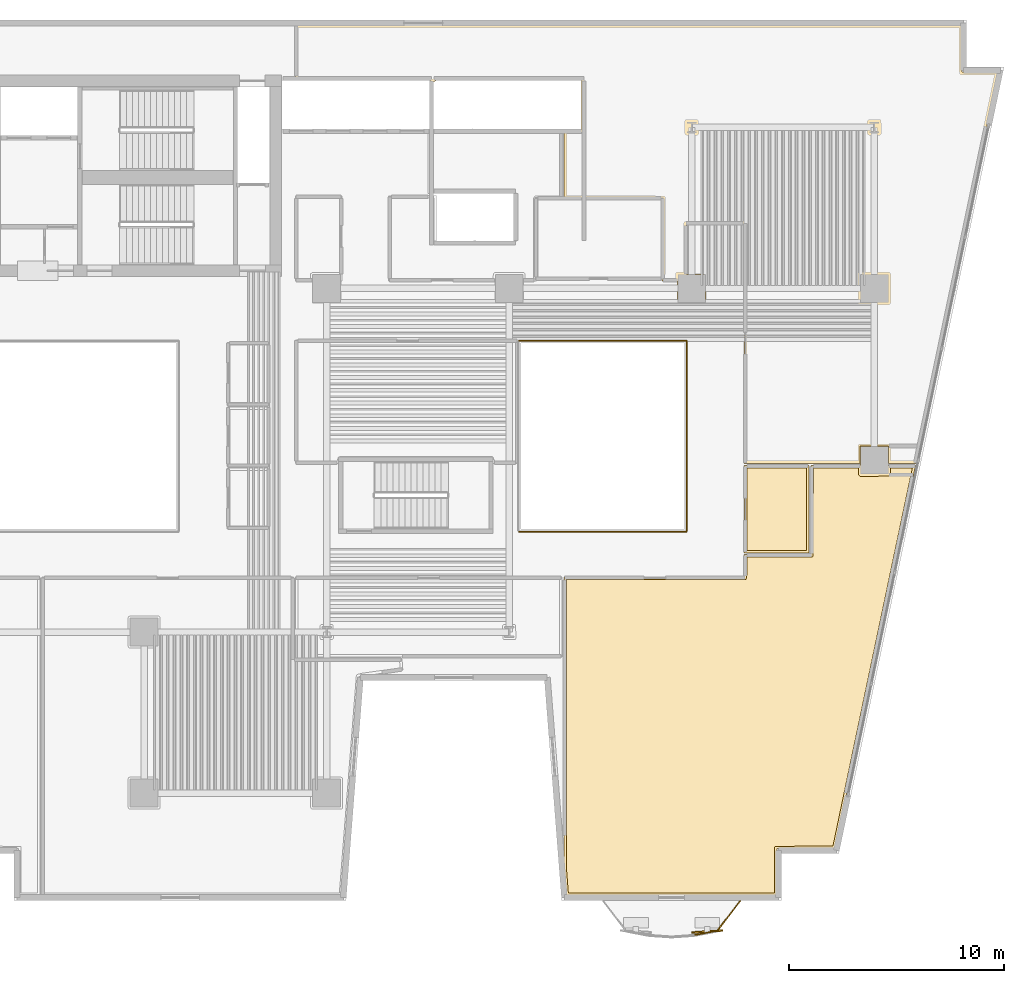
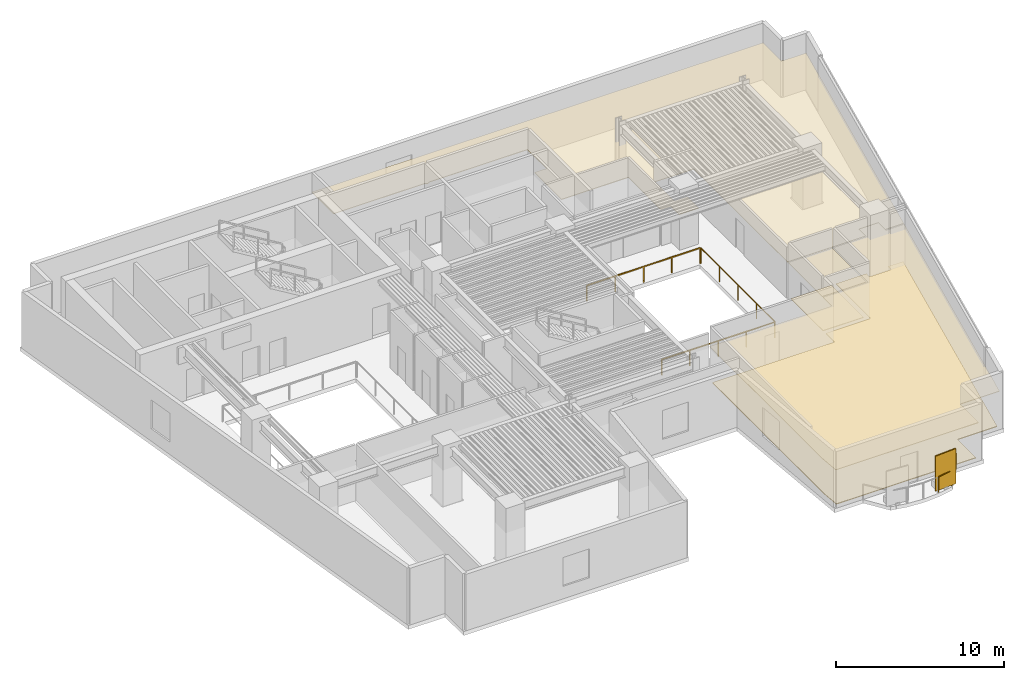
# One storey, part 10 of 12: 5 coverings, 5 railings, 1 shading device.
"""IFC4 building model written with IfcOpenShell, lengths in metres."""

from ifc_helpers import new_model, si_unit, direction, frame, origin, origin_2d, place, context, subcontext, project, spatial, polyline, rectangle, outline, extrude, material, layer, layer_set, type_object, element, save


model = new_model("IFC4")

# Units and contexts
model_context = context("Model", 3, precision=1e-05, world=origin(), true_north=direction((0.0, 1.0)))
body_context = subcontext(model_context, "Body", "Model", "MODEL_VIEW")
ifc_project = project(units=[si_unit("LENGTHUNIT", "METRE"), si_unit("AREAUNIT", "SQUARE_METRE"), si_unit("VOLUMEUNIT", "CUBIC_METRE"), si_unit("PLANEANGLEUNIT", "RADIAN"), si_unit("MASSUNIT", "GRAM", prefix="KILO")], contexts=[model_context])

# Site, building, storey
site_placement = place(None, origin())
site = spatial("IfcSite", under=ifc_project, at=site_placement, CompositionType="ELEMENT")
building_placement = place(site_placement, origin())
building = spatial("IfcBuilding", under=site, at=building_placement, Name="Caeloran Harvest Quay", CompositionType="ELEMENT")
storey_placement = place(building_placement, frame((0.0, 0.0, 93.0)))
storey = spatial("IfcBuildingStorey", under=building, at=storey_placement, Name="L21", CompositionType="ELEMENT", Elevation=93.0)

# Coverings
ifc_material_1 = material(Name="Perforated Mineral-Fibre Acoustic Ceiling Tile", Category="ceiling")
ifc_layer_1 = layer(ifc_material_1, 0.0400390625, Name="Perforated Mineral-Fibre Acoustic Ceiling Tile")
ifc_layer_set_1 = layer_set([ifc_layer_1], Name="Perforated Mineral-Fibre Acoustic Ceiling Tile")
covering_type_1 = type_object("IfcCoveringType", Name="COV-CEILING-ACOUSTIC", PredefinedType="CEILING", material=ifc_layer_set_1)
covering_1_placement = place(storey_placement, frame((0.0, 0.0, 2.60009765625)))
element("IfcCovering", 1, at=covering_1_placement, inside=storey, type_object=covering_type_1, Name="Biophilic Architecture Atelier Acoustic Ceiling", PredefinedType="CEILING", context=body_context, shape_type="SweptSolid", body=[
    extrude(outline(polyline([(44.93994140625, 17.56005859375), (44.93994140625, 18.610107421875), (48.0400390625, 18.610107421875), (48.0400390625, 22.760009765625), (50.330078125, 22.760009765625), (50.330078125, 23.669921875), (51.669921875, 23.669921875), (51.669921875, 22.760009765625), (52.918212890625, 22.760009765625), (49.170654296875, 4.919921875), (46.467041015625, 4.919921875), (46.467041015625, 2.719970703125), (36.64404296875, 2.719970703125), (36.5400390625, 4.052490234375), (36.5400390625, 17.56005859375), (44.93994140625, 17.56005859375)])), origin(), (0.0, 0.0, 1.0), 0.039794921875),
])
covering_2_placement = place(storey_placement, frame((0.0, 0.0, 2.60009765625)))
element("IfcCovering", 2, at=covering_2_placement, inside=storey, type_object=covering_type_1, Name="Principal Partner Office Acoustic Ceiling", PredefinedType="CEILING", context=body_context, shape_type="SweptSolid", body=[
    extrude(outline(polyline([(44.93994140625, 18.68994140625), (44.93994140625, 22.760009765625), (47.9599609375, 22.760009765625), (47.9599609375, 18.68994140625), (44.93994140625, 18.68994140625)])), origin(), (0.0, 0.0, 1.0), 0.039794921875),
])
covering_3_placement = place(storey_placement, frame((0.0, 0.0, 2.60009765625)))
element("IfcCovering", 3, at=covering_3_placement, inside=storey, type_object=covering_type_1, Name="Regional Food Policy Boardroom 9 Acoustic Ceiling", PredefinedType="CEILING", context=body_context, shape_type="SweptSolid", body=[
    extrude(outline(polyline([(50.330078125, 22.840087890625), (44.93994140625, 22.840087890625), (44.93994140625, 33.989990234375), (42.260009765625, 33.989990234375), (42.260009765625, 31.669921875), (43.169921875, 31.669921875), (43.169921875, 30.330078125), (41.830078125, 30.330078125), (41.830078125, 31.340087890625), (41.119873046875, 31.340087890625), (41.139892578125, 35.18994140625), (36.5400390625, 35.18994140625), (36.5400390625, 38.409912109375), (37.369873046875, 38.409912109375), (37.359130859375, 40.68310546875), (30.61083984375, 40.68994140625), (30.43994140625, 40.5888671875), (30.26904296875, 40.68994140625), (24.0400390625, 40.68994140625), (24.0400390625, 43.280029296875), (55.080078125, 43.280029296875), (55.080078125, 41.080078125), (56.766845703125, 41.080078125), (52.93505859375, 22.840087890625), (51.669921875, 22.840087890625), (51.669921875, 22.330078125), (50.330078125, 22.330078125), (50.330078125, 22.840087890625)])), origin(), (0.0, 0.0, 1.0), 0.039794921875),
])
ifc_material_2 = material(Name="Calcium-Sulphate Raised Access Floor and Terrazzo Finish", Category="flooring")
ifc_layer_2 = layer(ifc_material_2, 0.050048828125, Name="Calcium-Sulphate Raised Access Floor and Terrazzo Finish")
ifc_layer_set_2 = layer_set([ifc_layer_2], Name="Calcium-Sulphate Raised Access Floor and Terrazzo Finish")
covering_type_2 = type_object("IfcCoveringType", Name="COV-FLOOR-RAISED", PredefinedType="FLOORING", material=ifc_layer_set_2)
covering_4_placement = place(storey_placement, origin())
element("IfcCovering", 4, at=covering_4_placement, inside=storey, type_object=covering_type_2, Name="Biophilic Architecture Atelier Raised Finish Flooring", PredefinedType="FLOORING", context=body_context, shape_type="SweptSolid", body=[
    extrude(outline(polyline([(36.659912109375, 17.43994140625), (45.003173828125, 17.443359375), (45.0595703125, 17.51220703125), (45.06005859375, 18.489990234375), (48.080078125, 18.489990234375), (48.146484375, 18.525634765625), (48.159912109375, 22.639892578125), (50.2548828125, 22.639892578125), (50.256591796875, 22.3193359375), (50.3349609375, 22.2548828125), (51.6806640625, 22.256591796875), (51.743408203125, 22.3193359375), (51.7451171875, 22.639892578125), (52.7705078125, 22.639892578125), (49.0732421875, 5.0400390625), (46.376220703125, 5.021728515625), (46.346923828125, 4.9599609375), (46.346923828125, 2.840087890625), (36.7548828125, 2.840087890625), (36.659912109375, 4.05712890625), (36.659912109375, 17.43994140625)])), origin(), (0.0, 0.0, 1.0), 0.050048828125),
])
covering_5_placement = place(storey_placement, origin())
element("IfcCovering", 5, at=covering_5_placement, inside=storey, type_object=covering_type_2, Name="Principal Partner Office Raised Finish Flooring", PredefinedType="FLOORING", context=body_context, shape_type="SweptSolid", body=[
    extrude(outline(polyline([(45.06005859375, 18.81005859375), (45.06005859375, 22.639892578125), (47.840087890625, 22.639892578125), (47.840087890625, 18.81005859375), (45.06005859375, 18.81005859375)])), origin(), (0.0, 0.0, 1.0), 0.050048828125),
])

# Railings
ifc_material_3 = material(Name="Powder-Coated Steel Post and Laminated Glass Guardrail", Category="steel")
ifc_layer_3 = layer(ifc_material_3, 0.06005859375, Name="Powder-Coated Steel Post and Laminated Glass Guardrail")
ifc_layer_set_3 = layer_set([ifc_layer_3], Name="Powder-Coated Steel Post and Laminated Glass Guardrail")
railing_type_1 = type_object("IfcRailingType", Name="GUARD-ATRIUM-1150", PredefinedType="GUARDRAIL", material=ifc_layer_set_3)
railing_1_placement = place(storey_placement, frame((34.4619140625, 19.679931640625, 0.0)))
element("IfcRailing", 6, at=railing_1_placement, inside=storey, type_object=railing_type_1, Name="L21 East Botanical Lightwell Guardrail Seg 1", PredefinedType="GUARDRAIL", context=body_context, shape_type="SweptSolid", body=[
    extrude(rectangle(XDim=0.048095703125, YDim=0.048095703125, at=origin_2d()), frame((0.0, 0.0, 1.1259765625), z_axis=(1.0, 0.0, 0.0), x_axis=(0.0, 1.0, 0.0)), (0.0, 0.0, 1.0), 7.776123046875),
    extrude(rectangle(XDim=0.0419921875, YDim=0.0419921875, at=origin_2d()), origin(), (0.0, 0.0, 1.0), 1.101806640625),
    extrude(rectangle(XDim=0.0419921875, YDim=0.0419921875, at=origin_2d()), frame((1.944091796875, 0.0, 0.0)), (0.0, 0.0, 1.0), 1.101806640625),
    extrude(rectangle(XDim=0.0419921875, YDim=0.0419921875, at=origin_2d()), frame((3.88818359375, 0.0, 0.0)), (0.0, 0.0, 1.0), 1.101806640625),
    extrude(rectangle(XDim=0.0419921875, YDim=0.0419921875, at=origin_2d()), frame((5.83203125, 0.0, 0.0)), (0.0, 0.0, 1.0), 1.101806640625),
    extrude(rectangle(XDim=0.0419921875, YDim=0.0419921875, at=origin_2d()), frame((7.776123046875, 0.0, 0.0)), (0.0, 0.0, 1.0), 1.101806640625),
])
railing_2_placement = place(storey_placement, frame((42.27001953125, 19.7119140625, 0.0)))
element("IfcRailing", 7, at=railing_2_placement, inside=storey, type_object=railing_type_1, Name="L21 East Botanical Lightwell Guardrail Seg 2", PredefinedType="GUARDRAIL", context=body_context, shape_type="SweptSolid", body=[
    extrude(rectangle(XDim=0.048095703125, YDim=0.048095703125, at=origin_2d()), frame((0.0, 0.0, 1.1259765625), z_axis=(0.0, 1.0, 0.0), x_axis=(-1.0, 0.0, 0.0)), (0.0, 0.0, 1.0), 8.826171875),
    extrude(rectangle(XDim=0.0419921875, YDim=0.0419921875, at=origin_2d()), origin(), (0.0, 0.0, 1.0), 1.101806640625),
    extrude(rectangle(XDim=0.0419921875, YDim=0.0419921875, at=origin_2d()), frame((0.0, 2.20654296875, 0.0)), (0.0, 0.0, 1.0), 1.101806640625),
    extrude(rectangle(XDim=0.0419921875, YDim=0.0419921875, at=origin_2d()), frame((0.0, 4.4130859375, 0.0)), (0.0, 0.0, 1.0), 1.101806640625),
    extrude(rectangle(XDim=0.0419921875, YDim=0.0419921875, at=origin_2d()), frame((0.0, 6.61962890625, 0.0)), (0.0, 0.0, 1.0), 1.101806640625),
    extrude(rectangle(XDim=0.0419921875, YDim=0.0419921875, at=origin_2d()), frame((0.0, 8.826171875, 0.0)), (0.0, 0.0, 1.0), 1.101806640625),
])
railing_3_placement = place(storey_placement, frame((42.238037109375, 28.570068359375, 0.0)))
element("IfcRailing", 8, at=railing_3_placement, inside=storey, type_object=railing_type_1, Name="L21 East Botanical Lightwell Guardrail Seg 3", PredefinedType="GUARDRAIL", context=body_context, shape_type="SweptSolid", body=[
    extrude(rectangle(XDim=0.048095703125, YDim=0.048095703125, at=origin_2d()), frame((0.0, 0.0, 1.1259765625), z_axis=(-1.0, 0.0, 0.0), x_axis=(0.0, -1.0, 0.0)), (0.0, 0.0, 1.0), 7.776123046875),
    extrude(rectangle(XDim=0.0419921875, YDim=0.0419921875, at=origin_2d()), origin(), (0.0, 0.0, 1.0), 1.101806640625),
    extrude(rectangle(XDim=0.0419921875, YDim=0.0419921875, at=origin_2d()), frame((-1.944091796875, 0.0, 0.0)), (0.0, 0.0, 1.0), 1.101806640625),
    extrude(rectangle(XDim=0.0419921875, YDim=0.0419921875, at=origin_2d()), frame((-3.88818359375, 0.0, 0.0)), (0.0, 0.0, 1.0), 1.101806640625),
    extrude(rectangle(XDim=0.0419921875, YDim=0.0419921875, at=origin_2d()), frame((-5.83203125, 0.0, 0.0)), (0.0, 0.0, 1.0), 1.101806640625),
    extrude(rectangle(XDim=0.0419921875, YDim=0.0419921875, at=origin_2d()), frame((-7.776123046875, 0.0, 0.0)), (0.0, 0.0, 1.0), 1.101806640625),
])
ifc_material_4 = material(Name="Laminated Safety Glass and Stainless Steel 316", Category="steel")
ifc_layer_4 = layer(ifc_material_4, 0.06005859375, Name="Laminated Safety Glass and Stainless Steel 316")
ifc_layer_set_4 = layer_set([ifc_layer_4], Name="Laminated Safety Glass and Stainless Steel 316")
railing_type_2 = type_object("IfcRailingType", Name="GUARD-BALUSTRADE-1150", PredefinedType="BALUSTRADE", material=ifc_layer_set_4)
railing_4_placement = place(storey_placement, frame((44.7509765625, 2.47998046875, 0.0)))
element("IfcRailing", 9, at=railing_4_placement, inside=storey, type_object=railing_type_2, Name="L21 Planted Balcony Perimeter Balustrade Guard Seg 1", PredefinedType="BALUSTRADE", context=body_context, shape_type="SweptSolid", body=[
    extrude(rectangle(XDim=0.048095703125, YDim=0.048095703125, at=origin_2d()), frame((0.0, 0.0, 1.1259765625), z_axis=(-0.608658470771, -0.793432332312, 0.0), x_axis=(0.793432332312, -0.608658470771, 0.0)), (0.0, 0.0, 1.0), 1.71630859375),
    extrude(rectangle(XDim=0.0419921875, YDim=0.0419921875, at=origin_2d()), origin(), (0.0, 0.0, 1.0), 1.101806640625),
    extrude(rectangle(XDim=0.0419921875, YDim=0.0419921875, at=origin_2d()), frame((-1.044677734375, -1.36181640625, 0.0)), (0.0, 0.0, 1.0), 1.101806640625),
])
railing_5_placement = place(storey_placement, frame((43.655517578125, 1.0869140625, 0.0)))
element("IfcRailing", 10, at=railing_5_placement, inside=storey, type_object=railing_type_2, Name="L21 Planted Balcony Perimeter Balustrade Guard Seg 2", PredefinedType="BALUSTRADE", context=body_context, shape_type="SweptSolid", body=[
    extrude(rectangle(XDim=0.048095703125, YDim=0.048095703125, at=origin_2d()), frame((0.0, 0.0, 1.1259765625), z_axis=(-0.982309209999, -0.187266163388, 0.0), x_axis=(0.187266163388, -0.982309209999, 0.0)), (0.0, 0.0, 1.0), 1.01953125),
    extrude(rectangle(XDim=0.0419921875, YDim=0.0419921875, at=origin_2d()), origin(), (0.0, 0.0, 1.0), 1.101806640625),
    extrude(rectangle(XDim=0.0419921875, YDim=0.0419921875, at=origin_2d()), frame((-1.00146484375, -0.19091796875, 0.0)), (0.0, 0.0, 1.0), 1.101806640625),
])

# Shading device
ifc_material_5 = material(Name="3003-H14 Perforated Powder-Coated Aluminium", Category="aluminium")
shading_device_type = type_object("IfcShadingDeviceType", Name="SHADE-SCREEN-FOLDED", PredefinedType="USERDEFINED", material=ifc_material_5)
shading_device_placement = place(storey_placement, frame((43.218505859375, 1.056396484375, 0.0751953125), z_axis=(0.0, 0.0, 1.0), x_axis=(0.997801468292, 0.0662739004, 0.0)))
element("IfcShadingDevice", 11, at=shading_device_placement, inside=storey, type_object=shading_device_type, Name="L21 Folded Facade Breathing Screen 1", ObjectType="SCREEN", PredefinedType="USERDEFINED", context=body_context, shape_type="SweptSolid", body=[
    extrude(rectangle(XDim=1.449951171875, YDim=0.080078125, at=origin_2d()), origin(), (0.0, 0.0, 1.0), 2.550048828125),
])

save(model, "model.ifc")
